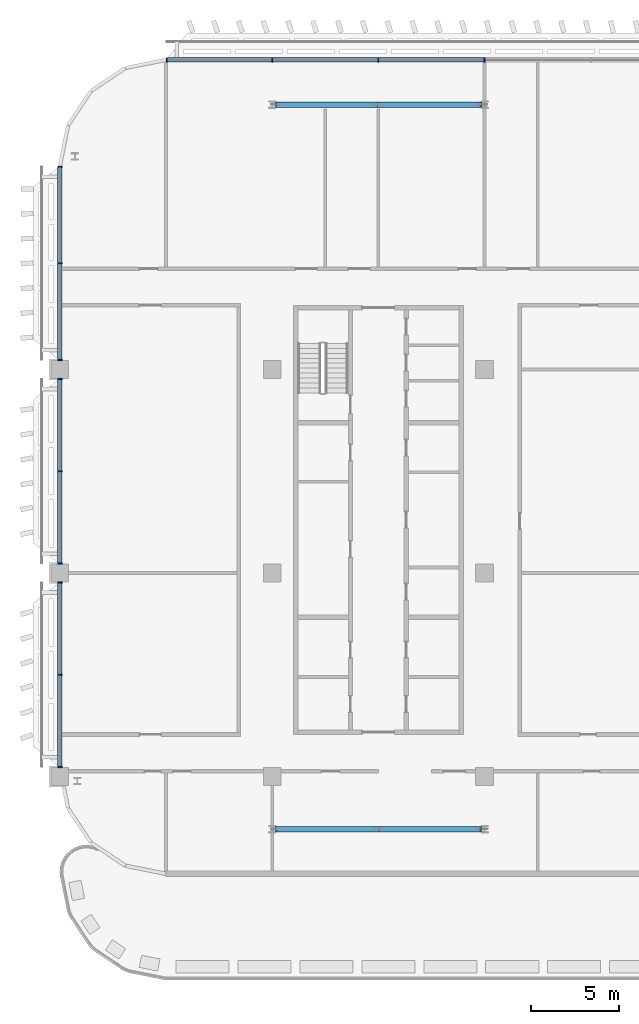
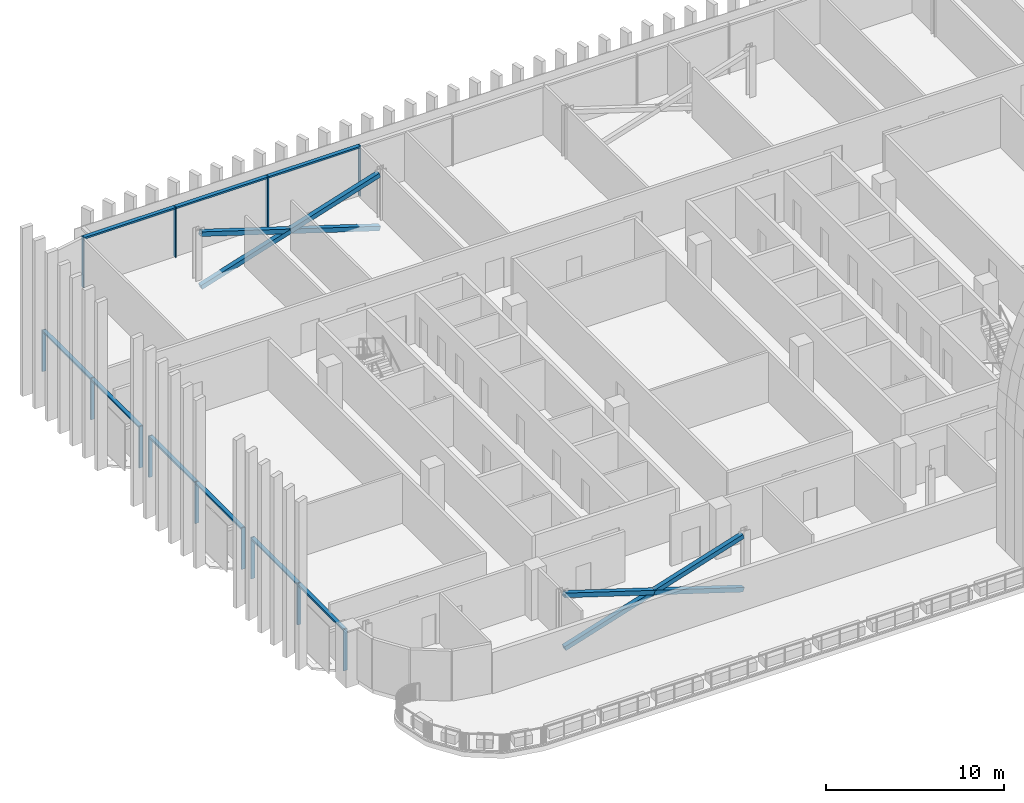
# One storey, part 4 of 30: 28 members, 4 elements without a shape of their own.
"""IFC4 building model written with IfcOpenShell, lengths in metres."""

from ifc_helpers import new_model, si_unit, direction, frame, origin, origin_2d, place, context, subcontext, project, spatial, rectangle, hollow_rectangle, extrude, material, material_profile, profile_set, type_object, element, aggregate, save


model = new_model("IFC4")

# Units and contexts
model_context = context("Model", 3, precision=1e-05, world=origin(), true_north=direction((0.0, 1.0)))
body_context = subcontext(model_context, "Body", "Model", "MODEL_VIEW")
ifc_project = project(units=[si_unit("LENGTHUNIT", "METRE"), si_unit("AREAUNIT", "SQUARE_METRE"), si_unit("VOLUMEUNIT", "CUBIC_METRE"), si_unit("PLANEANGLEUNIT", "RADIAN"), si_unit("MASSUNIT", "GRAM", prefix="KILO")], contexts=[model_context])

# Site, building, storey
site_placement = place(None, origin())
site = spatial("IfcSite", under=ifc_project, at=site_placement, CompositionType="ELEMENT")
building_placement = place(site_placement, origin())
building = spatial("IfcBuilding", under=site, at=building_placement, Name="Mahtab Terrace Research Tower", CompositionType="ELEMENT")
storey_placement = place(building_placement, frame((0.0, 0.0, 228.60009765625)))
storey = spatial("IfcBuildingStorey", under=building, at=storey_placement, Name="L55", CompositionType="ELEMENT", Elevation=228.60009765625)

# Members
ifc_material_1 = material(Name="Steel ASTM A500 Gr C", Category="steel")
ifc_material_profile_1 = material_profile(ifc_material_1, hollow_rectangle(XDim=0.3046875, YDim=0.3046875, WallThickness=0.015869140625, at=origin_2d()), Name="HSS12X12X5/8")
ifc_profile_set_1 = profile_set([ifc_material_profile_1], Name="Steel ASTM A500 Gr C")
member_type_1 = type_object("IfcMemberType", Name="HSS 12x12x5/8 brace XB121258", PredefinedType="BRACE", material=ifc_profile_set_1)
member_1_placement = place(storey_placement, frame((-18.199462890625, 26.472900390625, -0.58056640625), z_axis=(-0.953338568311, 0.0, 0.301903252998), x_axis=(0.0, -1.0, 0.0)))
element("IfcMember", 1, at=member_1_placement, inside=storey, type_object=member_type_1, Name="Exoskeleton brace L55 07 a", PredefinedType="BRACE", context=body_context, shape_type="SweptSolid", body=[
    extrude(hollow_rectangle(XDim=0.3046875, YDim=0.3046875, WallThickness=0.015869140625, at=origin_2d()), origin(), (0.0, 0.0, 1.0), 12.1689453125),
])
for number, where, z_axis, x_axis, name in (
    (2, (-29.800537109375, 26.472900390625, -0.58056640625), (0.953338568311, 0.0, 0.301903252998), (0.0, 1.0, 0.0), "Exoskeleton brace L55 07 b1"),
    (3, (-24.0, 26.472900390625, 1.25634765625), (0.953338568311, 0.0, 0.301903252998), (0.0, 1.0, 0.0), "Exoskeleton brace L55 07 b2"),
):
    element("IfcMember", number, at=place(storey_placement, frame(where, z_axis=z_axis, x_axis=x_axis)), inside=storey, type_object=member_type_1, Name=name, PredefinedType="BRACE", context=body_context, shape_type="SweptSolid", body=[
        extrude(hollow_rectangle(XDim=0.3046875, YDim=0.3046875, WallThickness=0.015869140625, at=origin_2d()), origin(), (0.0, 0.0, 1.0), 6.08447265625),
    ])
member_2_placement = place(storey_placement, frame((-29.800537109375, -14.472900390625, -0.58056640625), z_axis=(0.953338568311, 0.0, 0.301903252998), x_axis=(0.0, 1.0, 0.0)))
element("IfcMember", 4, at=member_2_placement, inside=storey, type_object=member_type_1, Name="Exoskeleton brace L55 13 a", PredefinedType="BRACE", context=body_context, shape_type="SweptSolid", body=[
    extrude(hollow_rectangle(XDim=0.3046875, YDim=0.3046875, WallThickness=0.015869140625, at=origin_2d()), origin(), (0.0, 0.0, 1.0), 12.1689453125),
])
for number, where, z_axis, x_axis, name in (
    (5, (-18.199462890625, -14.472900390625, -0.58056640625), (-0.953338568311, 0.0, 0.301903252998), (0.0, -1.0, 0.0), "Exoskeleton brace L55 13 b1"),
    (6, (-24.0, -14.472900390625, 1.25634765625), (-0.953338568311, 0.0, 0.301903252998), (0.0, -1.0, 0.0), "Exoskeleton brace L55 13 b2"),
):
    element("IfcMember", number, at=place(storey_placement, frame(where, z_axis=z_axis, x_axis=x_axis)), inside=storey, type_object=member_type_1, Name=name, PredefinedType="BRACE", context=body_context, shape_type="SweptSolid", body=[
        extrude(hollow_rectangle(XDim=0.3046875, YDim=0.3046875, WallThickness=0.015869140625, at=origin_2d()), origin(), (0.0, 0.0, 1.0), 6.08447265625),
    ])

# Curtain wall, members
ifc_material_2 = material(Name="Sky lounge full-height curtain wall")
curtain_wall_type = type_object("IfcCurtainWallType", Name="Sky lounge full-height curtain wall", PredefinedType="NOTDEFINED", material=ifc_material_2)
curtain_wall_1_placement = place(storey_placement, origin())
curtain_wall_1 = element("IfcCurtainWall", 7, at=curtain_wall_1_placement, inside=storey, type_object=curtain_wall_type, Name="EN.L55.3.3", PredefinedType="NOTDEFINED")
ifc_material_3 = material(Name="Natural anodised aluminium", Category="aluminium")
ifc_material_profile_2 = material_profile(ifc_material_3, rectangle(XDim=0.25, YDim=0.070068359375, at=origin_2d()), Name="MULLION 70x250")
ifc_profile_set_2 = profile_set([ifc_material_profile_2], Name="Natural anodised aluminium")
member_type_2 = type_object("IfcMemberType", Name="Sky lounge full-height curtain wall mullion", PredefinedType="MULLION", material=ifc_profile_set_2)
member_3_placement = place(storey_placement, frame((-18.0, 29.0, 0.0), z_axis=(0.0, 0.0, 1.0), x_axis=(0.0, -1.0, 0.0)))
member_3 = element("IfcMember", 8, at=member_3_placement, type_object=member_type_2, Name="CWS-7 mullion 12", PredefinedType="MULLION", context=body_context, shape_type="SweptSolid", body=[
    extrude(rectangle(XDim=0.25, YDim=0.070068359375, at=origin_2d()), origin(), (0.0, 0.0, 1.0), 3.4599609375),
])
member_4_placement = place(storey_placement, frame((-24.0, 29.0, 0.0), z_axis=(0.0, 0.0, 1.0), x_axis=(0.0, -1.0, 0.0)))
member_4 = element("IfcMember", 9, at=member_4_placement, type_object=member_type_2, Name="CWS-7 mullion 13", PredefinedType="MULLION", context=body_context, shape_type="SweptSolid", body=[
    extrude(rectangle(XDim=0.25, YDim=0.070068359375, at=origin_2d()), origin(), (0.0, 0.0, 1.0), 3.4599609375),
])
member_5_placement = place(storey_placement, frame((-30.0, 29.0, 0.0), z_axis=(0.0, 0.0, 1.0), x_axis=(0.0, -1.0, 0.0)))
member_5 = element("IfcMember", 10, at=member_5_placement, type_object=member_type_2, Name="CWS-7 mullion 14", PredefinedType="MULLION", context=body_context, shape_type="SweptSolid", body=[
    extrude(rectangle(XDim=0.25, YDim=0.070068359375, at=origin_2d()), origin(), (0.0, 0.0, 1.0), 3.4599609375),
])
member_6_placement = place(storey_placement, frame((-35.965087890625, 29.0, 0.0), z_axis=(0.0, 0.0, 1.0), x_axis=(0.0, -1.0, 0.0)))
member_6 = element("IfcMember", 11, at=member_6_placement, type_object=member_type_2, Name="CWS-7 mullion 15", PredefinedType="MULLION", context=body_context, shape_type="SweptSolid", body=[
    extrude(rectangle(XDim=0.25, YDim=0.070068359375, at=origin_2d()), origin(), (0.0, 0.0, 1.0), 3.4599609375),
])

curtain_wall_2_placement = place(storey_placement, origin())
curtain_wall_2 = element("IfcCurtainWall", 12, at=curtain_wall_2_placement, inside=storey, type_object=curtain_wall_type, Name="EN.L55.8.8", PredefinedType="NOTDEFINED")
member_7_placement = place(storey_placement, frame((-42.0, 22.965087890625, 0.0), z_axis=(0.0, 0.0, 1.0), x_axis=(1.0, 0.0, 0.0)))
member_7 = element("IfcMember", 13, at=member_7_placement, type_object=member_type_2, Name="CWS-7 mullion 1", PredefinedType="MULLION", context=body_context, shape_type="SweptSolid", body=[
    extrude(rectangle(XDim=0.25, YDim=0.070068359375, at=origin_2d()), origin(), (0.0, 0.0, 1.0), 2.852783203125),
])
member_8_placement = place(storey_placement, frame((-42.0, 17.5, 0.0), z_axis=(0.0, 0.0, 1.0), x_axis=(1.0, 0.0, 0.0)))
member_8 = element("IfcMember", 14, at=member_8_placement, type_object=member_type_2, Name="CWS-7 mullion 2", PredefinedType="MULLION", context=body_context, shape_type="SweptSolid", body=[
    extrude(rectangle(XDim=0.25, YDim=0.070068359375, at=origin_2d()), origin(), (0.0, 0.0, 1.0), 2.852783203125),
])
member_9_placement = place(storey_placement, frame((-42.0, 12.034912109375, 0.0), z_axis=(0.0, 0.0, 1.0), x_axis=(1.0, 0.0, 0.0)))
member_9 = element("IfcMember", 15, at=member_9_placement, type_object=member_type_2, Name="CWS-7 mullion 3", PredefinedType="MULLION", context=body_context, shape_type="SweptSolid", body=[
    extrude(rectangle(XDim=0.25, YDim=0.070068359375, at=origin_2d()), origin(), (0.0, 0.0, 1.0), 2.852783203125),
])

curtain_wall_3_placement = place(storey_placement, origin())
curtain_wall_3 = element("IfcCurtainWall", 16, at=curtain_wall_3_placement, inside=storey, type_object=curtain_wall_type, Name="EN.L55.8.9", PredefinedType="NOTDEFINED")
member_10_placement = place(storey_placement, frame((-42.0, 10.965087890625, 0.0), z_axis=(0.0, 0.0, 1.0), x_axis=(1.0, 0.0, 0.0)))
member_10 = element("IfcMember", 17, at=member_10_placement, type_object=member_type_2, Name="CWS-7 mullion 1", PredefinedType="MULLION", context=body_context, shape_type="SweptSolid", body=[
    extrude(rectangle(XDim=0.25, YDim=0.070068359375, at=origin_2d()), origin(), (0.0, 0.0, 1.0), 2.852783203125),
])
member_11_placement = place(storey_placement, frame((-42.0, 5.75, 0.0), z_axis=(0.0, 0.0, 1.0), x_axis=(1.0, 0.0, 0.0)))
member_11 = element("IfcMember", 18, at=member_11_placement, type_object=member_type_2, Name="CWS-7 mullion 2", PredefinedType="MULLION", context=body_context, shape_type="SweptSolid", body=[
    extrude(rectangle(XDim=0.25, YDim=0.070068359375, at=origin_2d()), origin(), (0.0, 0.0, 1.0), 2.852783203125),
])
member_12_placement = place(storey_placement, frame((-42.0, 0.534912109375, 0.0), z_axis=(0.0, 0.0, 1.0), x_axis=(1.0, 0.0, 0.0)))
member_12 = element("IfcMember", 19, at=member_12_placement, type_object=member_type_2, Name="CWS-7 mullion 3", PredefinedType="MULLION", context=body_context, shape_type="SweptSolid", body=[
    extrude(rectangle(XDim=0.25, YDim=0.070068359375, at=origin_2d()), origin(), (0.0, 0.0, 1.0), 2.852783203125),
])

curtain_wall_4_placement = place(storey_placement, origin())
curtain_wall_4 = element("IfcCurtainWall", 20, at=curtain_wall_4_placement, inside=storey, type_object=curtain_wall_type, Name="EN.L55.8.10", PredefinedType="NOTDEFINED")
member_13_placement = place(storey_placement, frame((-42.0, -0.534912109375, 0.0), z_axis=(0.0, 0.0, 1.0), x_axis=(1.0, 0.0, 0.0)))
member_13 = element("IfcMember", 21, at=member_13_placement, type_object=member_type_2, Name="CWS-7 mullion 1", PredefinedType="MULLION", context=body_context, shape_type="SweptSolid", body=[
    extrude(rectangle(XDim=0.25, YDim=0.070068359375, at=origin_2d()), origin(), (0.0, 0.0, 1.0), 2.852783203125),
])
member_14_placement = place(storey_placement, frame((-42.0, -5.75, 0.0), z_axis=(0.0, 0.0, 1.0), x_axis=(1.0, 0.0, 0.0)))
member_14 = element("IfcMember", 22, at=member_14_placement, type_object=member_type_2, Name="CWS-7 mullion 2", PredefinedType="MULLION", context=body_context, shape_type="SweptSolid", body=[
    extrude(rectangle(XDim=0.25, YDim=0.070068359375, at=origin_2d()), origin(), (0.0, 0.0, 1.0), 2.852783203125),
])
member_15_placement = place(storey_placement, frame((-42.0, -10.965087890625, 0.0), z_axis=(0.0, 0.0, 1.0), x_axis=(1.0, 0.0, 0.0)))
member_15 = element("IfcMember", 23, at=member_15_placement, type_object=member_type_2, Name="CWS-7 mullion 3", PredefinedType="MULLION", context=body_context, shape_type="SweptSolid", body=[
    extrude(rectangle(XDim=0.25, YDim=0.070068359375, at=origin_2d()), origin(), (0.0, 0.0, 1.0), 2.852783203125),
])

# Member
ifc_material_profile_3 = material_profile(ifc_material_3, rectangle(XDim=0.25, YDim=0.1201171875, at=origin_2d()), Name="TRANSOM 120x250")
ifc_profile_set_3 = profile_set([ifc_material_profile_3], Name="Natural anodised aluminium")
member_type_3 = type_object("IfcMemberType", Name="Sky lounge full-height curtain wall transom", PredefinedType="USERDEFINED", material=ifc_profile_set_3)
member_16_placement = place(storey_placement, frame((-18.034912109375, 29.0, 3.39990234375), z_axis=(-1.0, 0.0, 0.0), x_axis=(0.0, -1.0, 0.0)))
member_16 = element("IfcMember", 24, at=member_16_placement, type_object=member_type_3, Name="CWS-7 transom 12", ObjectType="TRANSOM", PredefinedType="USERDEFINED", context=body_context, shape_type="SweptSolid", body=[
    extrude(rectangle(XDim=0.25, YDim=0.1201171875, at=origin_2d()), origin(), (0.0, 0.0, 1.0), 5.93017578125),
])

member_17_placement = place(storey_placement, frame((-24.034912109375, 29.0, 3.39990234375), z_axis=(-1.0, 0.0, 0.0), x_axis=(0.0, -1.0, 0.0)))
member_17 = element("IfcMember", 25, at=member_17_placement, type_object=member_type_3, Name="CWS-7 transom 13", ObjectType="TRANSOM", PredefinedType="USERDEFINED", context=body_context, shape_type="SweptSolid", body=[
    extrude(rectangle(XDim=0.25, YDim=0.1201171875, at=origin_2d()), origin(), (0.0, 0.0, 1.0), 5.93017578125),
])

member_18_placement = place(storey_placement, frame((-30.034912109375, 29.0, 3.39990234375), z_axis=(-1.0, 0.0, 0.0), x_axis=(0.0, -1.0, 0.0)))
member_18 = element("IfcMember", 26, at=member_18_placement, type_object=member_type_3, Name="CWS-7 transom 14", ObjectType="TRANSOM", PredefinedType="USERDEFINED", context=body_context, shape_type="SweptSolid", body=[
    extrude(rectangle(XDim=0.25, YDim=0.1201171875, at=origin_2d()), origin(), (0.0, 0.0, 1.0), 5.89501953125),
])

aggregate(curtain_wall_1, [member_3, member_4, member_5, member_6, member_16, member_17, member_18])

member_19_placement = place(storey_placement, frame((-42.0, 22.929931640625, 2.792724609375), z_axis=(0.0, -1.0, 0.0), x_axis=(1.0, 0.0, 0.0)))
member_19 = element("IfcMember", 27, at=member_19_placement, type_object=member_type_3, Name="CWS-7 transom 1", ObjectType="TRANSOM", PredefinedType="USERDEFINED", context=body_context, shape_type="SweptSolid", body=[
    extrude(rectangle(XDim=0.25, YDim=0.1201171875, at=origin_2d()), origin(), (0.0, 0.0, 1.0), 5.39501953125),
])

member_20_placement = place(storey_placement, frame((-42.0, 17.465087890625, 2.792724609375), z_axis=(0.0, -1.0, 0.0), x_axis=(1.0, 0.0, 0.0)))
member_20 = element("IfcMember", 28, at=member_20_placement, type_object=member_type_3, Name="CWS-7 transom 2", ObjectType="TRANSOM", PredefinedType="USERDEFINED", context=body_context, shape_type="SweptSolid", body=[
    extrude(rectangle(XDim=0.25, YDim=0.1201171875, at=origin_2d()), origin(), (0.0, 0.0, 1.0), 5.39501953125),
])

aggregate(curtain_wall_2, [member_7, member_8, member_9, member_19, member_20])

member_21_placement = place(storey_placement, frame((-42.0, 10.929931640625, 2.792724609375), z_axis=(0.0, -1.0, 0.0), x_axis=(1.0, 0.0, 0.0)))
member_21 = element("IfcMember", 29, at=member_21_placement, type_object=member_type_3, Name="CWS-7 transom 1", ObjectType="TRANSOM", PredefinedType="USERDEFINED", context=body_context, shape_type="SweptSolid", body=[
    extrude(rectangle(XDim=0.25, YDim=0.1201171875, at=origin_2d()), origin(), (0.0, 0.0, 1.0), 5.14501953125),
])

member_22_placement = place(storey_placement, frame((-42.0, 5.715087890625, 2.792724609375), z_axis=(0.0, -1.0, 0.0), x_axis=(1.0, 0.0, 0.0)))
member_22 = element("IfcMember", 30, at=member_22_placement, type_object=member_type_3, Name="CWS-7 transom 2", ObjectType="TRANSOM", PredefinedType="USERDEFINED", context=body_context, shape_type="SweptSolid", body=[
    extrude(rectangle(XDim=0.25, YDim=0.1201171875, at=origin_2d()), origin(), (0.0, 0.0, 1.0), 5.14501953125),
])

aggregate(curtain_wall_3, [member_10, member_11, member_12, member_21, member_22])

member_23_placement = place(storey_placement, frame((-42.0, -0.570068359375, 2.792724609375), z_axis=(0.0, -1.0, 0.0), x_axis=(1.0, 0.0, 0.0)))
member_23 = element("IfcMember", 31, at=member_23_placement, type_object=member_type_3, Name="CWS-7 transom 1", ObjectType="TRANSOM", PredefinedType="USERDEFINED", context=body_context, shape_type="SweptSolid", body=[
    extrude(rectangle(XDim=0.25, YDim=0.1201171875, at=origin_2d()), origin(), (0.0, 0.0, 1.0), 5.14501953125),
])

member_24_placement = place(storey_placement, frame((-42.0, -5.784912109375, 2.792724609375), z_axis=(0.0, -1.0, 0.0), x_axis=(1.0, 0.0, 0.0)))
member_24 = element("IfcMember", 32, at=member_24_placement, type_object=member_type_3, Name="CWS-7 transom 2", ObjectType="TRANSOM", PredefinedType="USERDEFINED", context=body_context, shape_type="SweptSolid", body=[
    extrude(rectangle(XDim=0.25, YDim=0.1201171875, at=origin_2d()), origin(), (0.0, 0.0, 1.0), 5.14501953125),
])

aggregate(curtain_wall_4, [member_13, member_14, member_15, member_23, member_24])

save(model, "model.ifc")
